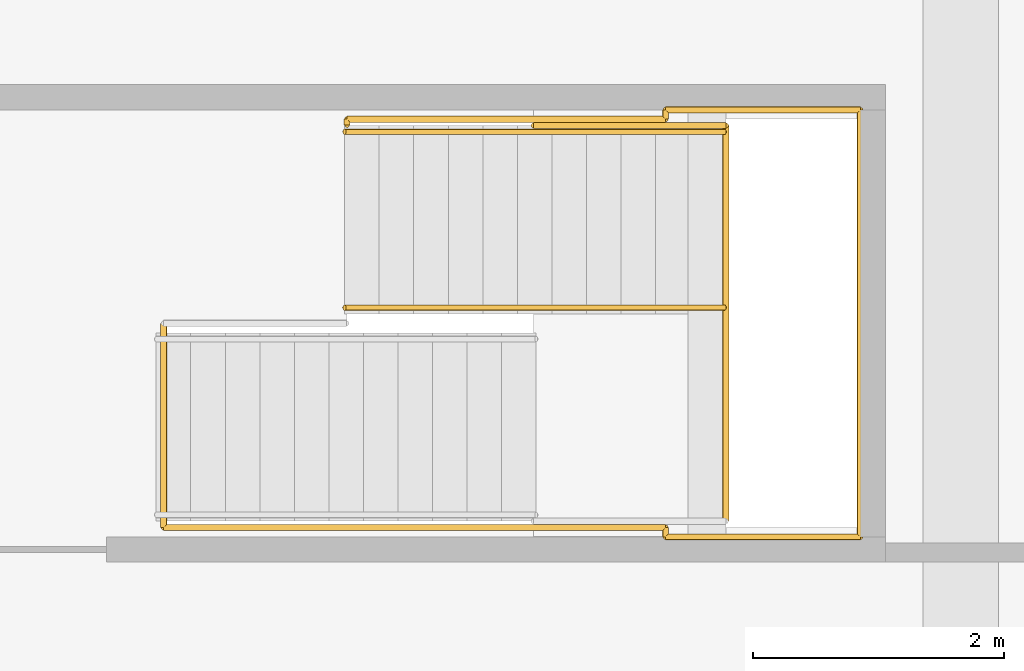
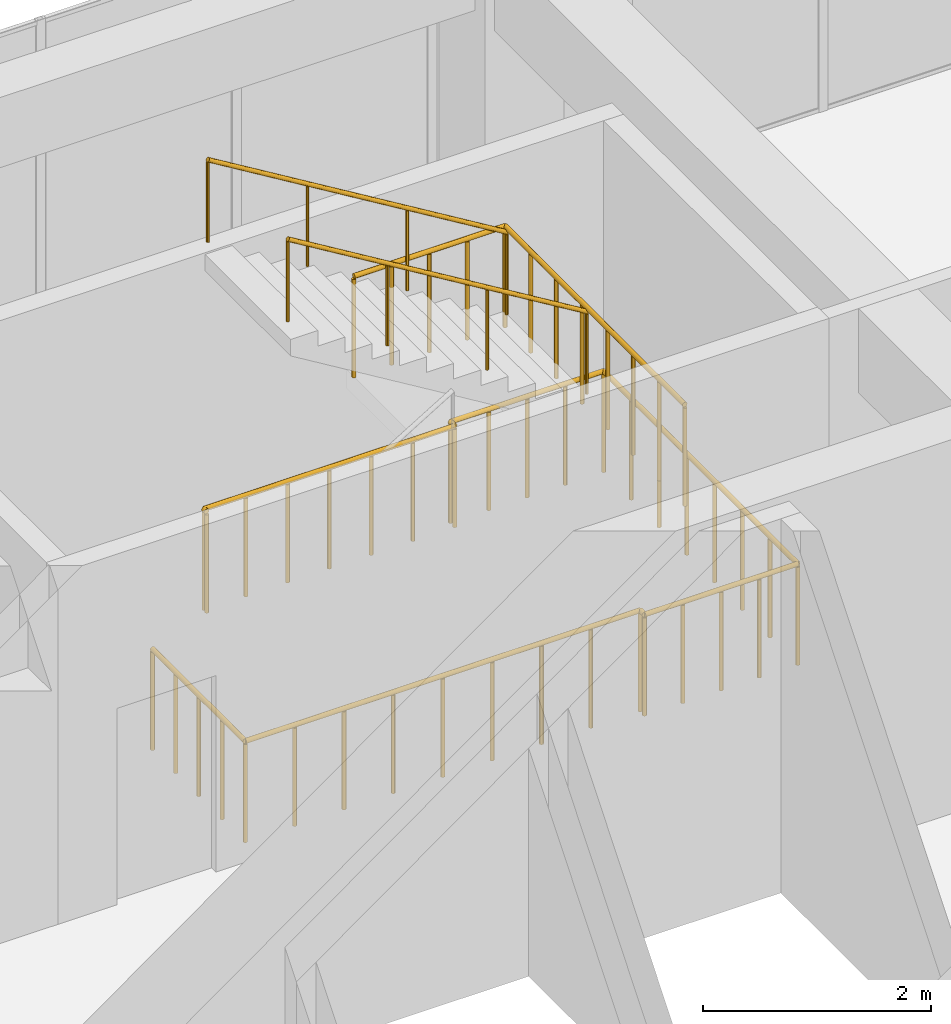
# One storey, part 66 of 66: 5 railings.
"""IFC4 building model written with IfcOpenShell, lengths in metres."""

from ifc_helpers import new_model, si_unit, direction, frame, origin, origin_2d, place, context, subcontext, project, spatial, circle, extrude, material, type_object, element, save


model = new_model("IFC4")

# Units and contexts
model_context = context("Model", 3, precision=1e-05, world=origin(), true_north=direction((0.0, 1.0)))
body_context = subcontext(model_context, "Body", "Model", "MODEL_VIEW")
ifc_project = project(units=[si_unit("LENGTHUNIT", "METRE"), si_unit("AREAUNIT", "SQUARE_METRE"), si_unit("VOLUMEUNIT", "CUBIC_METRE"), si_unit("PLANEANGLEUNIT", "RADIAN"), si_unit("MASSUNIT", "GRAM", prefix="KILO")], contexts=[model_context])

# Site, building, storey
site_placement = place(None, origin())
site = spatial("IfcSite", under=ifc_project, at=site_placement, CompositionType="ELEMENT")
building_placement = place(site_placement, origin())
building = spatial("IfcBuilding", under=site, at=building_placement, Name="Tuart Plaza Theatre", CompositionType="ELEMENT")
storey_placement = place(building_placement, frame((0.0, 0.0, 5.5)))
storey = spatial("IfcBuildingStorey", under=building, at=storey_placement, Name="L01", CompositionType="ELEMENT", Elevation=5.5)

# Railings
ifc_material_1 = material(Name="Steel Grade C350L0", Category="steel")
railing_type_1 = type_object("IfcRailingType", Name="RAILING Guard 1100", PredefinedType="GUARDRAIL", material=ifc_material_1)
railing_1_placement = place(storey_placement, frame((136.114990234375, 88.705078125, 0.0)))
element("IfcRailing", 1, at=railing_1_placement, inside=storey, type_object=railing_type_1, Name="GR280", PredefinedType="GUARDRAIL", context=body_context, shape_type="SweptSolid", body=[
    extrude(circle(Radius=0.02490234375, at=origin_2d()), frame((0.0, 0.0, 1.0751953125), z_axis=(0.0, 1.0, 0.0), x_axis=(-1.0, 0.0, 0.0)), (0.0, 0.0, 1.0), 0.044921875),
    extrude(circle(Radius=0.02490234375, at=origin_2d()), frame((0.0, 0.044921875, 1.0751953125), z_axis=(1.0, 0.0, 0.0), x_axis=(0.0, 1.0, 0.0)), (0.0, 0.0, 1.0), 2.534912109375),
    extrude(circle(Radius=0.02490234375, at=origin_2d()), frame((2.534912109375, 0.044921875, 1.0751953125), z_axis=(0.0, 1.0, 0.0), x_axis=(-1.0, 0.0, 0.0)), (0.0, 0.0, 1.0), 0.074951171875),
    extrude(circle(Radius=0.02490234375, at=origin_2d()), frame((2.534912109375, 0.119873046875, 1.0751953125), z_axis=(1.0, 0.0, 0.0), x_axis=(0.0, 1.0, 0.0)), (0.0, 0.0, 1.0), 1.550048828125),
    extrude(circle(Radius=0.02490234375, at=origin_2d()), frame((4.0849609375, 0.119873046875, 1.0751953125), z_axis=(0.0, -1.0, 0.0), x_axis=(1.0, 0.0, 0.0)), (0.0, 0.0, 1.0), 3.39990234375),
    extrude(circle(Radius=0.02490234375, at=origin_2d()), frame((4.0849609375, -3.280029296875, 1.0751953125), z_axis=(-1.0, 0.0, 0.0), x_axis=(0.0, -1.0, 0.0)), (0.0, 0.0, 1.0), 1.550048828125),
    extrude(circle(Radius=0.02490234375, at=origin_2d()), frame((2.534912109375, -3.280029296875, 1.0751953125), z_axis=(0.0, 1.0, 0.0), x_axis=(-1.0, 0.0, 0.0)), (0.0, 0.0, 1.0), 0.074951171875),
    extrude(circle(Radius=0.02490234375, at=origin_2d()), frame((2.534912109375, -3.205078125, 1.0751953125), z_axis=(-1.0, 0.0, 0.0), x_axis=(0.0, -1.0, 0.0)), (0.0, 0.0, 1.0), 3.994873046875),
    extrude(circle(Radius=0.02490234375, at=origin_2d()), frame((-1.4599609375, -3.205078125, 1.0751953125), z_axis=(0.0, 1.0, 0.0), x_axis=(-1.0, 0.0, 0.0)), (0.0, 0.0, 1.0), 1.625),
    extrude(circle(Radius=0.02001953125, at=origin_2d()), origin(), (0.0, 0.0, 1.0), 1.050048828125),
    extrude(circle(Radius=0.02001953125, at=origin_2d()), frame((0.0, 0.044921875, 0.0)), (0.0, 0.0, 1.0), 1.050048828125),
    extrude(circle(Radius=0.02001953125, at=origin_2d()), frame((0.42236328125, 0.044921875, 0.0)), (0.0, 0.0, 1.0), 1.050048828125),
    extrude(circle(Radius=0.02001953125, at=origin_2d()), frame((0.844970703125, 0.044921875, 0.0)), (0.0, 0.0, 1.0), 1.050048828125),
    extrude(circle(Radius=0.02001953125, at=origin_2d()), frame((1.267578125, 0.044921875, 0.0)), (0.0, 0.0, 1.0), 1.050048828125),
    extrude(circle(Radius=0.02001953125, at=origin_2d()), frame((1.68994140625, 0.044921875, 0.0)), (0.0, 0.0, 1.0), 1.050048828125),
    extrude(circle(Radius=0.02001953125, at=origin_2d()), frame((2.1123046875, 0.044921875, 0.0)), (0.0, 0.0, 1.0), 1.050048828125),
    extrude(circle(Radius=0.02001953125, at=origin_2d()), frame((2.534912109375, 0.044921875, 0.0)), (0.0, 0.0, 1.0), 1.050048828125),
    extrude(circle(Radius=0.02001953125, at=origin_2d()), frame((2.534912109375, 0.119873046875, 0.0)), (0.0, 0.0, 1.0), 1.050048828125),
    extrude(circle(Radius=0.02001953125, at=origin_2d()), frame((2.92236328125, 0.119873046875, 0.0)), (0.0, 0.0, 1.0), 1.050048828125),
    extrude(circle(Radius=0.02001953125, at=origin_2d()), frame((3.31005859375, 0.119873046875, 0.0)), (0.0, 0.0, 1.0), 1.050048828125),
    extrude(circle(Radius=0.02001953125, at=origin_2d()), frame((3.697509765625, 0.119873046875, 0.0)), (0.0, 0.0, 1.0), 1.050048828125),
    extrude(circle(Radius=0.02001953125, at=origin_2d()), frame((4.0849609375, 0.119873046875, 0.0)), (0.0, 0.0, 1.0), 1.050048828125),
    extrude(circle(Radius=0.02001953125, at=origin_2d()), frame((4.0849609375, -0.36572265625, 0.0)), (0.0, 0.0, 1.0), 1.050048828125),
    extrude(circle(Radius=0.02001953125, at=origin_2d()), frame((4.0849609375, -0.8515625, 0.0)), (0.0, 0.0, 1.0), 1.050048828125),
    extrude(circle(Radius=0.02001953125, at=origin_2d()), frame((4.0849609375, -1.337158203125, 0.0)), (0.0, 0.0, 1.0), 1.050048828125),
    extrude(circle(Radius=0.02001953125, at=origin_2d()), frame((4.0849609375, -1.822998046875, 0.0)), (0.0, 0.0, 1.0), 1.050048828125),
    extrude(circle(Radius=0.02001953125, at=origin_2d()), frame((4.0849609375, -2.30859375, 0.0)), (0.0, 0.0, 1.0), 1.050048828125),
    extrude(circle(Radius=0.02001953125, at=origin_2d()), frame((4.0849609375, -2.79443359375, 0.0)), (0.0, 0.0, 1.0), 1.050048828125),
    extrude(circle(Radius=0.02001953125, at=origin_2d()), frame((4.0849609375, -3.280029296875, 0.0)), (0.0, 0.0, 1.0), 1.050048828125),
    extrude(circle(Radius=0.02001953125, at=origin_2d()), frame((3.697509765625, -3.280029296875, 0.0)), (0.0, 0.0, 1.0), 1.050048828125),
    extrude(circle(Radius=0.02001953125, at=origin_2d()), frame((3.31005859375, -3.280029296875, 0.0)), (0.0, 0.0, 1.0), 1.050048828125),
    extrude(circle(Radius=0.02001953125, at=origin_2d()), frame((2.92236328125, -3.280029296875, 0.0)), (0.0, 0.0, 1.0), 1.050048828125),
    extrude(circle(Radius=0.02001953125, at=origin_2d()), frame((2.534912109375, -3.280029296875, 0.0)), (0.0, 0.0, 1.0), 1.050048828125),
    extrude(circle(Radius=0.02001953125, at=origin_2d()), frame((2.534912109375, -3.205078125, 0.0)), (0.0, 0.0, 1.0), 1.050048828125),
    extrude(circle(Radius=0.02001953125, at=origin_2d()), frame((2.03564453125, -3.205078125, 0.0)), (0.0, 0.0, 1.0), 1.050048828125),
    extrude(circle(Radius=0.02001953125, at=origin_2d()), frame((1.5361328125, -3.205078125, 0.0)), (0.0, 0.0, 1.0), 1.050048828125),
    extrude(circle(Radius=0.02001953125, at=origin_2d()), frame((1.036865234375, -3.205078125, 0.0)), (0.0, 0.0, 1.0), 1.050048828125),
    extrude(circle(Radius=0.02001953125, at=origin_2d()), frame((0.53759765625, -3.205078125, 0.0)), (0.0, 0.0, 1.0), 1.050048828125),
    extrude(circle(Radius=0.02001953125, at=origin_2d()), frame((0.0380859375, -3.205078125, 0.0)), (0.0, 0.0, 1.0), 1.050048828125),
    extrude(circle(Radius=0.02001953125, at=origin_2d()), frame((-0.461181640625, -3.205078125, 0.0)), (0.0, 0.0, 1.0), 1.050048828125),
    extrude(circle(Radius=0.02001953125, at=origin_2d()), frame((-0.960693359375, -3.205078125, 0.0)), (0.0, 0.0, 1.0), 1.050048828125),
    extrude(circle(Radius=0.02001953125, at=origin_2d()), frame((-1.4599609375, -3.205078125, 0.0)), (0.0, 0.0, 1.0), 1.050048828125),
    extrude(circle(Radius=0.02001953125, at=origin_2d()), frame((-1.4599609375, -2.798828125, 0.0)), (0.0, 0.0, 1.0), 1.050048828125),
    extrude(circle(Radius=0.02001953125, at=origin_2d()), frame((-1.4599609375, -2.392578125, 0.0)), (0.0, 0.0, 1.0), 1.050048828125),
    extrude(circle(Radius=0.02001953125, at=origin_2d()), frame((-1.4599609375, -1.986328125, 0.0)), (0.0, 0.0, 1.0), 1.050048828125),
    extrude(circle(Radius=0.02001953125, at=origin_2d()), frame((-1.4599609375, -1.580078125, 0.0)), (0.0, 0.0, 1.0), 1.050048828125),
])
railing_2_placement = place(storey_placement, frame((139.1298828125, 85.550048828125, 2.0)))
element("IfcRailing", 2, at=railing_2_placement, inside=storey, type_object=railing_type_1, Name="GR286", PredefinedType="GUARDRAIL", context=body_context, shape_type="SweptSolid", body=[
    extrude(circle(Radius=0.02490234375, at=origin_2d()), frame((0.0, 0.0, 1.0751953125), z_axis=(0.0, 1.0, 0.0), x_axis=(-1.0, 0.0, 0.0)), (0.0, 0.0, 1.0), 3.14990234375),
    extrude(circle(Radius=0.02001953125, at=origin_2d()), origin(), (0.0, 0.0, 1.0), 1.050048828125),
    extrude(circle(Radius=0.02001953125, at=origin_2d()), frame((0.0, 0.449951171875, 0.0)), (0.0, 0.0, 1.0), 1.050048828125),
    extrude(circle(Radius=0.02001953125, at=origin_2d()), frame((0.0, 0.89990234375, 0.0)), (0.0, 0.0, 1.0), 1.050048828125),
    extrude(circle(Radius=0.02001953125, at=origin_2d()), frame((0.0, 1.349853515625, 0.0)), (0.0, 0.0, 1.0), 1.050048828125),
    extrude(circle(Radius=0.02001953125, at=origin_2d()), frame((0.0, 1.800048828125, 0.0)), (0.0, 0.0, 1.0), 1.050048828125),
    extrude(circle(Radius=0.02001953125, at=origin_2d()), frame((0.0, 2.25, 0.0)), (0.0, 0.0, 1.0), 1.050048828125),
    extrude(circle(Radius=0.02001953125, at=origin_2d()), frame((0.0, 2.699951171875, 0.0)), (0.0, 0.0, 1.0), 1.050048828125),
    extrude(circle(Radius=0.02001953125, at=origin_2d()), frame((0.0, 3.14990234375, 0.0)), (0.0, 0.0, 1.0), 1.050048828125),
])
railing_3_placement = place(storey_placement, frame((139.1298828125, 88.699951171875, 2.0)))
element("IfcRailing", 3, at=railing_3_placement, inside=storey, type_object=railing_type_1, Name="GR287", PredefinedType="GUARDRAIL", context=body_context, shape_type="SweptSolid", body=[
    extrude(circle(Radius=0.02490234375, at=origin_2d()), frame((0.0, 0.0, 1.0751953125), z_axis=(-1.0, 0.0, 0.0), x_axis=(0.0, -1.0, 0.0)), (0.0, 0.0, 1.0), 1.52978515625),
    extrude(circle(Radius=0.02001953125, at=origin_2d()), origin(), (0.0, 0.0, 1.0), 1.050048828125),
    extrude(circle(Radius=0.02001953125, at=origin_2d()), frame((-0.38232421875, 0.0, 0.0)), (0.0, 0.0, 1.0), 1.050048828125),
    extrude(circle(Radius=0.02001953125, at=origin_2d()), frame((-0.764892578125, 0.0, 0.0)), (0.0, 0.0, 1.0), 1.050048828125),
    extrude(circle(Radius=0.02001953125, at=origin_2d()), frame((-1.1474609375, 0.0, 0.0)), (0.0, 0.0, 1.0), 1.050048828125),
    extrude(circle(Radius=0.02001953125, at=origin_2d()), frame((-1.52978515625, 0.0, 0.0)), (0.0, 0.0, 1.0), 1.050048828125),
])
ifc_material_2 = material(Name="Steel Grade C350L0", Category="steel")
railing_type_2 = type_object("IfcRailingType", Name="RAILING Handrail 900", PredefinedType="HANDRAIL", material=ifc_material_2)
for number, where, name in (
    (4, (139.1201171875, 87.25, 2.166748046875), "HR185"),
    (5, (139.1201171875, 88.64990234375, 2.166748046875), "HR186"),
):
    element("IfcRailing", number, at=place(storey_placement, frame(where)), inside=storey, type_object=railing_type_2, Name=name, PredefinedType="HANDRAIL", context=body_context, shape_type="SweptSolid", body=[
        extrude(circle(Radius=0.0224609375, at=origin_2d()), frame((0.0, 0.0, 0.87744140625), z_axis=(-0.855219153138, 0.0, 0.518266533848), x_axis=(0.0, -1.0, 0.0)), (0.0, 0.0, 1.0), 3.537353515625),
        extrude(circle(Radius=0.01513671875, at=origin_2d()), origin(), (0.0, 0.0, 1.0), 0.85498046875),
        extrude(circle(Radius=0.01513671875, at=origin_2d()), frame((-1.00830078125, 0.0, 0.611083984375)), (0.0, 0.0, 1.0), 0.85498046875),
        extrude(circle(Radius=0.01513671875, at=origin_2d()), frame((-2.016845703125, 0.0, 1.22216796875)), (0.0, 0.0, 1.0), 0.85498046875),
        extrude(circle(Radius=0.01513671875, at=origin_2d()), frame((-3.025146484375, 0.0, 1.833251953125)), (0.0, 0.0, 1.0), 0.85498046875),
    ])

save(model, "model.ifc")
